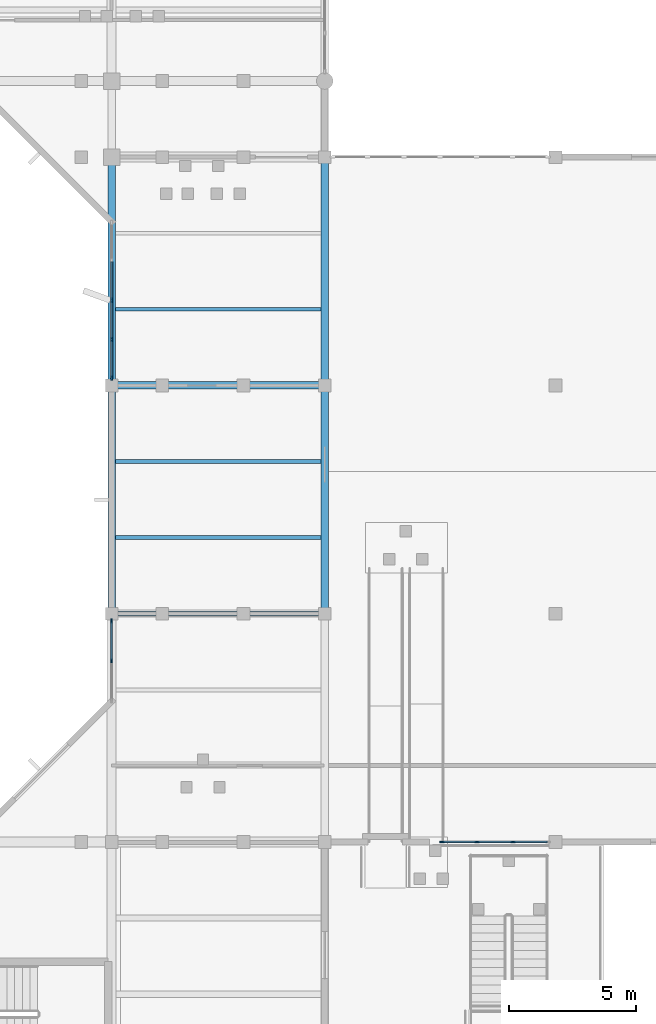
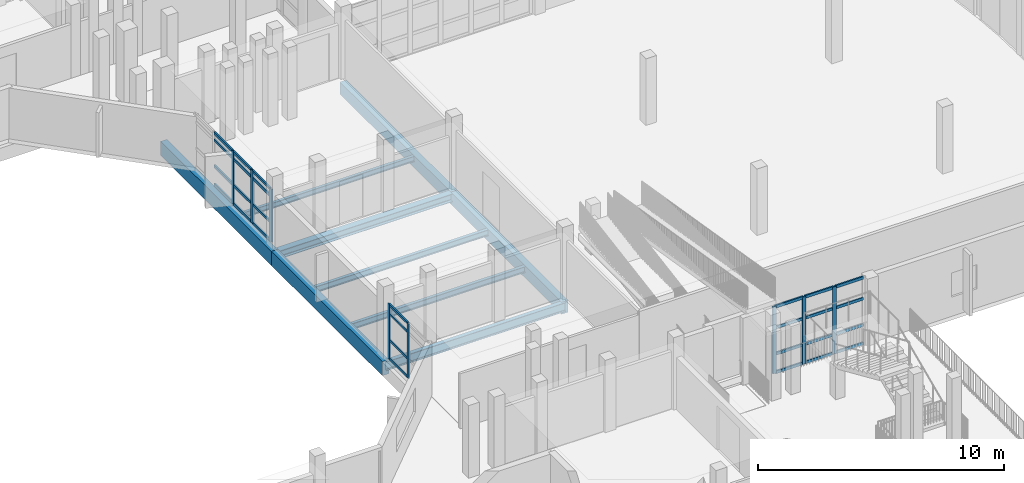
# One storey, part 26 of 104: 36 members, 9 beams, 3 elements without a shape of their own.
"""IFC4 building model written with IfcOpenShell, lengths in metres."""

from ifc_helpers import new_model, si_unit, direction, frame, origin, origin_2d, place, context, subcontext, project, spatial, rectangle, i_section, extrude, material, material_profile, profile_set, type_object, element, aggregate, save


model = new_model("IFC4")

# Units and contexts
model_context = context("Model", 3, precision=1e-05, world=origin(), true_north=direction((0.0, 1.0)))
body_context = subcontext(model_context, "Body", "Model", "MODEL_VIEW")
ifc_project = project(units=[si_unit("LENGTHUNIT", "METRE"), si_unit("AREAUNIT", "SQUARE_METRE"), si_unit("VOLUMEUNIT", "CUBIC_METRE"), si_unit("PLANEANGLEUNIT", "RADIAN"), si_unit("MASSUNIT", "GRAM", prefix="KILO")], contexts=[model_context])

# Site, building, storey
site_placement = place(None, origin())
site = spatial("IfcSite", under=ifc_project, at=site_placement, CompositionType="ELEMENT")
building_placement = place(site_placement, origin())
building = spatial("IfcBuilding", under=site, at=building_placement, Name="Vanh Quang Courtyard School", CompositionType="ELEMENT")
storey_placement = place(building_placement, frame((0.0, 0.0, 4.199951171875)))
storey = spatial("IfcBuildingStorey", under=building, at=storey_placement, Name="L01", CompositionType="ELEMENT", Elevation=4.199951171875)

# Beams
ifc_material_1 = material(Name="Concrete C35/45", Category="concrete")
ifc_material_profile_1 = material_profile(ifc_material_1, rectangle(XDim=0.300048828125, YDim=0.60009765625, at=origin_2d()), Name="RC-BM 300x600")
ifc_profile_set_1 = profile_set([ifc_material_profile_1], Name="Concrete C35/45")
beam_type_1 = type_object("IfcBeamType", Name="BM-RC-300x600", PredefinedType="BEAM", material=ifc_profile_set_1)
for number, where, z_axis, x_axis, name in (
    (1, (119.39990234375, 50.39990234375, -0.579833984375), (0.0, 1.0, 0.0), (-1.0, 0.0, 0.0), "Beam B-06 (L01)"),
    (2, (119.39990234375, 59.39990234375, -0.579833984375), (0.0, 1.0, 0.0), (-1.0, 0.0, 0.0), "Beam B-06 (L01)"),
):
    element("IfcBeam", number, at=place(storey_placement, frame(where, z_axis=z_axis, x_axis=x_axis)), inside=storey, type_object=beam_type_1, Name=name, PredefinedType="BEAM", context=body_context, shape_type="SweptSolid", body=[
        extrude(rectangle(XDim=0.300048828125, YDim=0.60009765625, at=origin_2d()), origin(), (0.0, 0.0, 1.0), 9.0),
    ])
ifc_material_profile_2 = material_profile(ifc_material_1, rectangle(XDim=0.300048828125, YDim=0.699951171875, at=origin_2d()), Name="RC-SP 300x700")
ifc_profile_set_2 = profile_set([ifc_material_profile_2], Name="Concrete C35/45")
beam_type_2 = type_object("IfcBeamType", Name="BM-SP-300x700", PredefinedType="SPANDREL", material=ifc_profile_set_2)
for number, where, z_axis, x_axis, name in (
    (3, (111.0, 50.39990234375, -0.6298828125), (0.0, 1.0, 0.0), (-1.0, 0.0, 0.0), "Beam BS-01 (L01)"),
    (4, (111.0, 59.39990234375, -0.6298828125), (0.0, 1.0, 0.0), (-1.0, 0.0, 0.0), "Beam BS-01 (L01)"),
):
    element("IfcBeam", number, at=place(storey_placement, frame(where, z_axis=z_axis, x_axis=x_axis)), inside=storey, type_object=beam_type_2, Name=name, PredefinedType="SPANDREL", context=body_context, shape_type="SweptSolid", body=[
        extrude(rectangle(XDim=0.300048828125, YDim=0.699951171875, at=origin_2d()), origin(), (0.0, 0.0, 1.0), 9.0),
    ])
ifc_material_2 = material(Name="Structural steel EN 10025-2 S355J2", Category="steel")
ifc_material_profile_3 = material_profile(ifc_material_2, i_section(OverallWidth=0.300048828125, OverallDepth=0.389892578125, WebThickness=0.010986328125, FlangeThickness=0.01904296875, FilletRadius=0.027099609375, at=origin_2d()), Name="HEA 400")
ifc_profile_set_3 = profile_set([ifc_material_profile_3], Name="Structural steel EN 10025-2 S355J2")
beam_type_3 = type_object("IfcBeamType", Name="BM-STL-HEA400", PredefinedType="BEAM", material=ifc_profile_set_3)
beam_1_placement = place(storey_placement, frame((111.0, 59.39990234375, -0.474853515625), z_axis=(1.0, 0.0, 0.0), x_axis=(0.0, 1.0, 0.0)))
element("IfcBeam", 5, at=beam_1_placement, inside=storey, type_object=beam_type_3, Name="Beam SB-08 (L01)", PredefinedType="BEAM", context=body_context, shape_type="SweptSolid", body=[
    extrude(i_section(OverallWidth=0.300048828125, OverallDepth=0.389892578125, WebThickness=0.010986328125, FlangeThickness=0.01904296875, FilletRadius=0.027099609375, at=origin_2d()), origin(), (0.0, 0.0, 1.0), 8.39990234375),
])
ifc_material_profile_4 = material_profile(ifc_material_2, i_section(OverallWidth=0.18994140625, OverallDepth=0.449951171875, WebThickness=0.009521484375, FlangeThickness=0.0146484375, FilletRadius=0.02099609375, at=origin_2d()), Name="IPE 450")
ifc_profile_set_4 = profile_set([ifc_material_profile_4], Name="Structural steel EN 10025-2 S355J2")
beam_type_4 = type_object("IfcBeamType", Name="BM-STL-IPE450", PredefinedType="BEAM", material=ifc_profile_set_4)
beam_2_placement = place(storey_placement, frame((111.0, 50.39990234375, -0.5048828125), z_axis=(1.0, 0.0, 0.0), x_axis=(0.0, 1.0, 0.0)))
element("IfcBeam", 6, at=beam_2_placement, inside=storey, type_object=beam_type_4, Name="Beam SB-04 (L01)", PredefinedType="BEAM", context=body_context, shape_type="SweptSolid", body=[
    extrude(i_section(OverallWidth=0.18994140625, OverallDepth=0.449951171875, WebThickness=0.009521484375, FlangeThickness=0.0146484375, FilletRadius=0.02099609375, at=origin_2d()), origin(), (0.0, 0.0, 1.0), 8.39990234375),
])

# Curtain wall, members
ifc_material_3 = material(Name="Thermally broken aluminium unitised curtain wall", Category="aluminium")
curtain_wall_type_1 = type_object("IfcCurtainWallType", Name="CW-SYS-43", PredefinedType="NOTDEFINED", material=ifc_material_3)
curtain_wall_1_placement = place(storey_placement, origin())
curtain_wall_1 = element("IfcCurtainWall", 7, at=curtain_wall_1_placement, inside=storey, type_object=curtain_wall_type_1, Name="Curtain Wall CW-43 (L01)", PredefinedType="NOTDEFINED")
ifc_material_4 = material(Name="Anodised aluminium 6063-T6", Category="aluminium")
ifc_material_profile_5 = material_profile(ifc_material_4, rectangle(XDim=0.06005859375, YDim=0.159912109375, at=origin_2d()), Name="ALU-MUL 60x160")
ifc_profile_set_5 = profile_set([ifc_material_profile_5], Name="Anodised aluminium 6063-T6")
member_type_1 = type_object("IfcMemberType", Name="CW-MUL-60x160", PredefinedType="MULLION", material=ifc_profile_set_5)
member_1_placement = place(storey_placement, frame((111.0, 48.54296875, 0.0), z_axis=(0.0, 0.0, 1.0), x_axis=(-1.0, 0.0, 0.0)))
member_1 = element("IfcMember", 8, at=member_1_placement, type_object=member_type_1, Name="CW-43 mullion 2", PredefinedType="MULLION", context=body_context, shape_type="SweptSolid", body=[
    extrude(rectangle(XDim=0.06005859375, YDim=0.159912109375, at=origin_2d()), origin(), (0.0, 0.0, 1.0), 2.719970703125),
])
member_2_placement = place(storey_placement, frame((111.0, 50.112060546875, 0.0), z_axis=(0.0, 0.0, 1.0), x_axis=(-1.0, 0.0, 0.0)))
member_2 = element("IfcMember", 9, at=member_2_placement, type_object=member_type_1, Name="CW-43 mullion 3", PredefinedType="MULLION", context=body_context, shape_type="SweptSolid", body=[
    extrude(rectangle(XDim=0.06005859375, YDim=0.159912109375, at=origin_2d()), origin(), (0.0, 0.0, 1.0), 2.719970703125),
])

curtain_wall_type_2 = type_object("IfcCurtainWallType", Name="CW-SYS-27", PredefinedType="NOTDEFINED", material=ifc_material_3)
curtain_wall_2_placement = place(storey_placement, origin())
curtain_wall_2 = element("IfcCurtainWall", 10, at=curtain_wall_2_placement, inside=storey, type_object=curtain_wall_type_2, Name="Curtain Wall CW-27 (L01)", PredefinedType="NOTDEFINED")
ifc_material_profile_6 = material_profile(ifc_material_4, rectangle(XDim=0.070068359375, YDim=0.179931640625, at=origin_2d()), Name="ALU-MUL 70x180")
ifc_profile_set_6 = profile_set([ifc_material_profile_6], Name="Anodised aluminium 6063-T6")
member_type_2 = type_object("IfcMemberType", Name="CW-MUL-70x180", PredefinedType="MULLION", material=ifc_profile_set_6)
member_3_placement = place(storey_placement, frame((126.822265625, 41.39990234375, 0.0), z_axis=(0.0, 0.0, 1.0), x_axis=(0.0, -1.0, 0.0)))
member_3 = element("IfcMember", 11, at=member_3_placement, type_object=member_type_2, Name="CW-27 mullion 2", PredefinedType="MULLION", context=body_context, shape_type="SweptSolid", body=[
    extrude(rectangle(XDim=0.070068359375, YDim=0.179931640625, at=origin_2d()), origin(), (0.0, 0.0, 1.0), 3.320068359375),
])
member_4_placement = place(storey_placement, frame((125.402587890625, 41.39990234375, 0.0), z_axis=(0.0, 0.0, 1.0), x_axis=(0.0, -1.0, 0.0)))
member_4 = element("IfcMember", 12, at=member_4_placement, type_object=member_type_2, Name="CW-27 mullion 3", PredefinedType="MULLION", context=body_context, shape_type="SweptSolid", body=[
    extrude(rectangle(XDim=0.070068359375, YDim=0.179931640625, at=origin_2d()), origin(), (0.0, 0.0, 1.0), 3.320068359375),
])
member_5_placement = place(storey_placement, frame((124.01806640625, 41.39990234375, 0.0), z_axis=(0.0, 0.0, 1.0), x_axis=(0.0, -1.0, 0.0)))
member_5 = element("IfcMember", 13, at=member_5_placement, type_object=member_type_2, Name="CW-27 mullion 4", PredefinedType="MULLION", context=body_context, shape_type="SweptSolid", body=[
    extrude(rectangle(XDim=0.070068359375, YDim=0.179931640625, at=origin_2d()), origin(), (0.0, 0.0, 1.0), 3.320068359375),
])

curtain_wall_type_3 = type_object("IfcCurtainWallType", Name="CW-SYS-44", PredefinedType="NOTDEFINED", material=ifc_material_3)
curtain_wall_3_placement = place(storey_placement, origin())
curtain_wall_3 = element("IfcCurtainWall", 14, at=curtain_wall_3_placement, inside=storey, type_object=curtain_wall_type_3, Name="Curtain Wall CW-44 (L01)", PredefinedType="NOTDEFINED")
member_6_placement = place(storey_placement, frame((111.0, 59.693115234375, 0.0), z_axis=(0.0, 0.0, 1.0), x_axis=(-1.0, 0.0, 0.0)))
member_6 = element("IfcMember", 15, at=member_6_placement, type_object=member_type_2, Name="CW-44 mullion 1", PredefinedType="MULLION", context=body_context, shape_type="SweptSolid", body=[
    extrude(rectangle(XDim=0.070068359375, YDim=0.179931640625, at=origin_2d()), origin(), (0.0, 0.0, 1.0), 2.6201171875),
])
member_7_placement = place(storey_placement, frame((111.0, 61.20751953125, 0.0), z_axis=(0.0, 0.0, 1.0), x_axis=(-1.0, 0.0, 0.0)))
member_7 = element("IfcMember", 16, at=member_7_placement, type_object=member_type_2, Name="CW-44 mullion 2", PredefinedType="MULLION", context=body_context, shape_type="SweptSolid", body=[
    extrude(rectangle(XDim=0.070068359375, YDim=0.179931640625, at=origin_2d()), origin(), (0.0, 0.0, 1.0), 2.6201171875),
])
member_8_placement = place(storey_placement, frame((111.0, 62.757080078125, 0.0), z_axis=(0.0, 0.0, 1.0), x_axis=(-1.0, 0.0, 0.0)))
member_8 = element("IfcMember", 17, at=member_8_placement, type_object=member_type_2, Name="CW-44 mullion 3", PredefinedType="MULLION", context=body_context, shape_type="SweptSolid", body=[
    extrude(rectangle(XDim=0.070068359375, YDim=0.179931640625, at=origin_2d()), origin(), (0.0, 0.0, 1.0), 2.6201171875),
])

# Member
ifc_material_profile_7 = material_profile(ifc_material_4, rectangle(XDim=0.06005859375, YDim=0.1201171875, at=origin_2d()), Name="ALU-TRN 60x120")
ifc_profile_set_7 = profile_set([ifc_material_profile_7], Name="Anodised aluminium 6063-T6")
member_type_3 = type_object("IfcMemberType", Name="CW-TRN-60x120", PredefinedType="USERDEFINED", material=ifc_profile_set_7)
member_9_placement = place(storey_placement, frame((111.0, 48.572998046875, 0.030029296875), z_axis=(0.0, 1.0, 0.0), x_axis=(-1.0, 0.0, 0.0)))
member_9 = element("IfcMember", 18, at=member_9_placement, type_object=member_type_3, Name="CW-43 transom 2.1", ObjectType="TRANSOM", PredefinedType="USERDEFINED", context=body_context, shape_type="SweptSolid", body=[
    extrude(rectangle(XDim=0.06005859375, YDim=0.1201171875, at=origin_2d()), origin(), (0.0, 0.0, 1.0), 1.509033203125),
])

member_10_placement = place(storey_placement, frame((111.0, 48.572998046875, 0.949951171875), z_axis=(0.0, 1.0, 0.0), x_axis=(-1.0, 0.0, 0.0)))
member_10 = element("IfcMember", 19, at=member_10_placement, type_object=member_type_3, Name="CW-43 transom 2.2", ObjectType="TRANSOM", PredefinedType="USERDEFINED", context=body_context, shape_type="SweptSolid", body=[
    extrude(rectangle(XDim=0.06005859375, YDim=0.1201171875, at=origin_2d()), origin(), (0.0, 0.0, 1.0), 1.509033203125),
])

member_11_placement = place(storey_placement, frame((111.0, 48.572998046875, 2.25), z_axis=(0.0, 1.0, 0.0), x_axis=(-1.0, 0.0, 0.0)))
member_11 = element("IfcMember", 20, at=member_11_placement, type_object=member_type_3, Name="CW-43 transom 2.3", ObjectType="TRANSOM", PredefinedType="USERDEFINED", context=body_context, shape_type="SweptSolid", body=[
    extrude(rectangle(XDim=0.06005859375, YDim=0.1201171875, at=origin_2d()), origin(), (0.0, 0.0, 1.0), 1.509033203125),
])

member_12_placement = place(storey_placement, frame((111.0, 48.572998046875, 2.68994140625), z_axis=(0.0, 1.0, 0.0), x_axis=(-1.0, 0.0, 0.0)))
member_12 = element("IfcMember", 21, at=member_12_placement, type_object=member_type_3, Name="CW-43 transom 2.4", ObjectType="TRANSOM", PredefinedType="USERDEFINED", context=body_context, shape_type="SweptSolid", body=[
    extrude(rectangle(XDim=0.06005859375, YDim=0.1201171875, at=origin_2d()), origin(), (0.0, 0.0, 1.0), 1.509033203125),
])

aggregate(curtain_wall_1, [member_1, member_2, member_9, member_10, member_11, member_12])

ifc_material_profile_8 = material_profile(ifc_material_4, rectangle(XDim=0.070068359375, YDim=0.139892578125, at=origin_2d()), Name="ALU-TRN 70x140")
ifc_profile_set_8 = profile_set([ifc_material_profile_8], Name="Anodised aluminium 6063-T6")
member_type_4 = type_object("IfcMemberType", Name="CW-TRN-70x140", PredefinedType="USERDEFINED", material=ifc_profile_set_8)
member_13_placement = place(storey_placement, frame((128.172119140625, 41.39990234375, 0.03515625), z_axis=(-1.0, 0.0, 0.0), x_axis=(0.0, -1.0, 0.0)))
member_13 = element("IfcMember", 22, at=member_13_placement, type_object=member_type_4, Name="CW-27 transom 1.1", ObjectType="TRANSOM", PredefinedType="USERDEFINED", context=body_context, shape_type="SweptSolid", body=[
    extrude(rectangle(XDim=0.070068359375, YDim=0.139892578125, at=origin_2d()), origin(), (0.0, 0.0, 1.0), 1.314697265625),
])

member_14_placement = place(storey_placement, frame((128.172119140625, 41.39990234375, 0.949951171875), z_axis=(-1.0, 0.0, 0.0), x_axis=(0.0, -1.0, 0.0)))
member_14 = element("IfcMember", 23, at=member_14_placement, type_object=member_type_4, Name="CW-27 transom 1.2", ObjectType="TRANSOM", PredefinedType="USERDEFINED", context=body_context, shape_type="SweptSolid", body=[
    extrude(rectangle(XDim=0.070068359375, YDim=0.139892578125, at=origin_2d()), origin(), (0.0, 0.0, 1.0), 1.314697265625),
])

member_15_placement = place(storey_placement, frame((128.172119140625, 41.39990234375, 2.25), z_axis=(-1.0, 0.0, 0.0), x_axis=(0.0, -1.0, 0.0)))
member_15 = element("IfcMember", 24, at=member_15_placement, type_object=member_type_4, Name="CW-27 transom 1.3", ObjectType="TRANSOM", PredefinedType="USERDEFINED", context=body_context, shape_type="SweptSolid", body=[
    extrude(rectangle(XDim=0.070068359375, YDim=0.139892578125, at=origin_2d()), origin(), (0.0, 0.0, 1.0), 1.314697265625),
])

member_16_placement = place(storey_placement, frame((128.172119140625, 41.39990234375, 3.28515625), z_axis=(-1.0, 0.0, 0.0), x_axis=(0.0, -1.0, 0.0)))
member_16 = element("IfcMember", 25, at=member_16_placement, type_object=member_type_4, Name="CW-27 transom 1.4", ObjectType="TRANSOM", PredefinedType="USERDEFINED", context=body_context, shape_type="SweptSolid", body=[
    extrude(rectangle(XDim=0.070068359375, YDim=0.139892578125, at=origin_2d()), origin(), (0.0, 0.0, 1.0), 1.314697265625),
])

member_17_placement = place(storey_placement, frame((126.787353515625, 41.39990234375, 0.03515625), z_axis=(-1.0, 0.0, 0.0), x_axis=(0.0, -1.0, 0.0)))
member_17 = element("IfcMember", 26, at=member_17_placement, type_object=member_type_4, Name="CW-27 transom 2.1", ObjectType="TRANSOM", PredefinedType="USERDEFINED", context=body_context, shape_type="SweptSolid", body=[
    extrude(rectangle(XDim=0.070068359375, YDim=0.139892578125, at=origin_2d()), origin(), (0.0, 0.0, 1.0), 1.349609375),
])

member_18_placement = place(storey_placement, frame((126.787353515625, 41.39990234375, 0.949951171875), z_axis=(-1.0, 0.0, 0.0), x_axis=(0.0, -1.0, 0.0)))
member_18 = element("IfcMember", 27, at=member_18_placement, type_object=member_type_4, Name="CW-27 transom 2.2", ObjectType="TRANSOM", PredefinedType="USERDEFINED", context=body_context, shape_type="SweptSolid", body=[
    extrude(rectangle(XDim=0.070068359375, YDim=0.139892578125, at=origin_2d()), origin(), (0.0, 0.0, 1.0), 1.349609375),
])

member_19_placement = place(storey_placement, frame((126.787353515625, 41.39990234375, 2.25), z_axis=(-1.0, 0.0, 0.0), x_axis=(0.0, -1.0, 0.0)))
member_19 = element("IfcMember", 28, at=member_19_placement, type_object=member_type_4, Name="CW-27 transom 2.3", ObjectType="TRANSOM", PredefinedType="USERDEFINED", context=body_context, shape_type="SweptSolid", body=[
    extrude(rectangle(XDim=0.070068359375, YDim=0.139892578125, at=origin_2d()), origin(), (0.0, 0.0, 1.0), 1.349609375),
])

member_20_placement = place(storey_placement, frame((126.787353515625, 41.39990234375, 3.28515625), z_axis=(-1.0, 0.0, 0.0), x_axis=(0.0, -1.0, 0.0)))
member_20 = element("IfcMember", 29, at=member_20_placement, type_object=member_type_4, Name="CW-27 transom 2.4", ObjectType="TRANSOM", PredefinedType="USERDEFINED", context=body_context, shape_type="SweptSolid", body=[
    extrude(rectangle(XDim=0.070068359375, YDim=0.139892578125, at=origin_2d()), origin(), (0.0, 0.0, 1.0), 1.349609375),
])

member_21_placement = place(storey_placement, frame((125.36767578125, 41.39990234375, 0.03515625), z_axis=(-1.0, 0.0, 0.0), x_axis=(0.0, -1.0, 0.0)))
member_21 = element("IfcMember", 30, at=member_21_placement, type_object=member_type_4, Name="CW-27 transom 3.1", ObjectType="TRANSOM", PredefinedType="USERDEFINED", context=body_context, shape_type="SweptSolid", body=[
    extrude(rectangle(XDim=0.070068359375, YDim=0.139892578125, at=origin_2d()), origin(), (0.0, 0.0, 1.0), 1.314697265625),
])

member_22_placement = place(storey_placement, frame((125.36767578125, 41.39990234375, 0.949951171875), z_axis=(-1.0, 0.0, 0.0), x_axis=(0.0, -1.0, 0.0)))
member_22 = element("IfcMember", 31, at=member_22_placement, type_object=member_type_4, Name="CW-27 transom 3.2", ObjectType="TRANSOM", PredefinedType="USERDEFINED", context=body_context, shape_type="SweptSolid", body=[
    extrude(rectangle(XDim=0.070068359375, YDim=0.139892578125, at=origin_2d()), origin(), (0.0, 0.0, 1.0), 1.314697265625),
])

member_23_placement = place(storey_placement, frame((125.36767578125, 41.39990234375, 2.25), z_axis=(-1.0, 0.0, 0.0), x_axis=(0.0, -1.0, 0.0)))
member_23 = element("IfcMember", 32, at=member_23_placement, type_object=member_type_4, Name="CW-27 transom 3.3", ObjectType="TRANSOM", PredefinedType="USERDEFINED", context=body_context, shape_type="SweptSolid", body=[
    extrude(rectangle(XDim=0.070068359375, YDim=0.139892578125, at=origin_2d()), origin(), (0.0, 0.0, 1.0), 1.314697265625),
])

member_24_placement = place(storey_placement, frame((125.36767578125, 41.39990234375, 3.28515625), z_axis=(-1.0, 0.0, 0.0), x_axis=(0.0, -1.0, 0.0)))
member_24 = element("IfcMember", 33, at=member_24_placement, type_object=member_type_4, Name="CW-27 transom 3.4", ObjectType="TRANSOM", PredefinedType="USERDEFINED", context=body_context, shape_type="SweptSolid", body=[
    extrude(rectangle(XDim=0.070068359375, YDim=0.139892578125, at=origin_2d()), origin(), (0.0, 0.0, 1.0), 1.314697265625),
])

aggregate(curtain_wall_2, [member_3, member_4, member_5, member_13, member_14, member_15, member_16, member_17, member_18, member_19, member_20, member_21, member_22, member_23, member_24])

member_25_placement = place(storey_placement, frame((111.0, 59.72802734375, 0.03515625), z_axis=(0.0, 1.0, 0.0), x_axis=(-1.0, 0.0, 0.0)))
member_25 = element("IfcMember", 34, at=member_25_placement, type_object=member_type_4, Name="CW-44 transom 1.1", ObjectType="TRANSOM", PredefinedType="USERDEFINED", context=body_context, shape_type="SweptSolid", body=[
    extrude(rectangle(XDim=0.070068359375, YDim=0.139892578125, at=origin_2d()), origin(), (0.0, 0.0, 1.0), 1.444580078125),
])

member_26_placement = place(storey_placement, frame((111.0, 59.72802734375, 0.949951171875), z_axis=(0.0, 1.0, 0.0), x_axis=(-1.0, 0.0, 0.0)))
member_26 = element("IfcMember", 35, at=member_26_placement, type_object=member_type_4, Name="CW-44 transom 1.2", ObjectType="TRANSOM", PredefinedType="USERDEFINED", context=body_context, shape_type="SweptSolid", body=[
    extrude(rectangle(XDim=0.070068359375, YDim=0.139892578125, at=origin_2d()), origin(), (0.0, 0.0, 1.0), 1.444580078125),
])

member_27_placement = place(storey_placement, frame((111.0, 59.72802734375, 2.25), z_axis=(0.0, 1.0, 0.0), x_axis=(-1.0, 0.0, 0.0)))
member_27 = element("IfcMember", 36, at=member_27_placement, type_object=member_type_4, Name="CW-44 transom 1.3", ObjectType="TRANSOM", PredefinedType="USERDEFINED", context=body_context, shape_type="SweptSolid", body=[
    extrude(rectangle(XDim=0.070068359375, YDim=0.139892578125, at=origin_2d()), origin(), (0.0, 0.0, 1.0), 1.444580078125),
])

member_28_placement = place(storey_placement, frame((111.0, 59.72802734375, 2.5849609375), z_axis=(0.0, 1.0, 0.0), x_axis=(-1.0, 0.0, 0.0)))
member_28 = element("IfcMember", 37, at=member_28_placement, type_object=member_type_4, Name="CW-44 transom 1.4", ObjectType="TRANSOM", PredefinedType="USERDEFINED", context=body_context, shape_type="SweptSolid", body=[
    extrude(rectangle(XDim=0.070068359375, YDim=0.139892578125, at=origin_2d()), origin(), (0.0, 0.0, 1.0), 1.444580078125),
])

member_29_placement = place(storey_placement, frame((111.0, 61.242431640625, 0.03515625), z_axis=(0.0, 1.0, 0.0), x_axis=(-1.0, 0.0, 0.0)))
member_29 = element("IfcMember", 38, at=member_29_placement, type_object=member_type_4, Name="CW-44 transom 2.1", ObjectType="TRANSOM", PredefinedType="USERDEFINED", context=body_context, shape_type="SweptSolid", body=[
    extrude(rectangle(XDim=0.070068359375, YDim=0.139892578125, at=origin_2d()), origin(), (0.0, 0.0, 1.0), 1.4794921875),
])

member_30_placement = place(storey_placement, frame((111.0, 61.242431640625, 0.949951171875), z_axis=(0.0, 1.0, 0.0), x_axis=(-1.0, 0.0, 0.0)))
member_30 = element("IfcMember", 39, at=member_30_placement, type_object=member_type_4, Name="CW-44 transom 2.2", ObjectType="TRANSOM", PredefinedType="USERDEFINED", context=body_context, shape_type="SweptSolid", body=[
    extrude(rectangle(XDim=0.070068359375, YDim=0.139892578125, at=origin_2d()), origin(), (0.0, 0.0, 1.0), 1.4794921875),
])

member_31_placement = place(storey_placement, frame((111.0, 61.242431640625, 2.25), z_axis=(0.0, 1.0, 0.0), x_axis=(-1.0, 0.0, 0.0)))
member_31 = element("IfcMember", 40, at=member_31_placement, type_object=member_type_4, Name="CW-44 transom 2.3", ObjectType="TRANSOM", PredefinedType="USERDEFINED", context=body_context, shape_type="SweptSolid", body=[
    extrude(rectangle(XDim=0.070068359375, YDim=0.139892578125, at=origin_2d()), origin(), (0.0, 0.0, 1.0), 1.4794921875),
])

member_32_placement = place(storey_placement, frame((111.0, 61.242431640625, 2.5849609375), z_axis=(0.0, 1.0, 0.0), x_axis=(-1.0, 0.0, 0.0)))
member_32 = element("IfcMember", 41, at=member_32_placement, type_object=member_type_4, Name="CW-44 transom 2.4", ObjectType="TRANSOM", PredefinedType="USERDEFINED", context=body_context, shape_type="SweptSolid", body=[
    extrude(rectangle(XDim=0.070068359375, YDim=0.139892578125, at=origin_2d()), origin(), (0.0, 0.0, 1.0), 1.4794921875),
])

member_33_placement = place(storey_placement, frame((111.0, 62.7919921875, 0.03515625), z_axis=(0.0, 1.0, 0.0), x_axis=(-1.0, 0.0, 0.0)))
member_33 = element("IfcMember", 42, at=member_33_placement, type_object=member_type_4, Name="CW-44 transom 3.1", ObjectType="TRANSOM", PredefinedType="USERDEFINED", context=body_context, shape_type="SweptSolid", body=[
    extrude(rectangle(XDim=0.070068359375, YDim=0.139892578125, at=origin_2d()), origin(), (0.0, 0.0, 1.0), 1.4794921875),
])

member_34_placement = place(storey_placement, frame((111.0, 62.7919921875, 0.949951171875), z_axis=(0.0, 1.0, 0.0), x_axis=(-1.0, 0.0, 0.0)))
member_34 = element("IfcMember", 43, at=member_34_placement, type_object=member_type_4, Name="CW-44 transom 3.2", ObjectType="TRANSOM", PredefinedType="USERDEFINED", context=body_context, shape_type="SweptSolid", body=[
    extrude(rectangle(XDim=0.070068359375, YDim=0.139892578125, at=origin_2d()), origin(), (0.0, 0.0, 1.0), 1.4794921875),
])

member_35_placement = place(storey_placement, frame((111.0, 62.7919921875, 2.25), z_axis=(0.0, 1.0, 0.0), x_axis=(-1.0, 0.0, 0.0)))
member_35 = element("IfcMember", 44, at=member_35_placement, type_object=member_type_4, Name="CW-44 transom 3.3", ObjectType="TRANSOM", PredefinedType="USERDEFINED", context=body_context, shape_type="SweptSolid", body=[
    extrude(rectangle(XDim=0.070068359375, YDim=0.139892578125, at=origin_2d()), origin(), (0.0, 0.0, 1.0), 1.4794921875),
])

member_36_placement = place(storey_placement, frame((111.0, 62.7919921875, 2.5849609375), z_axis=(0.0, 1.0, 0.0), x_axis=(-1.0, 0.0, 0.0)))
member_36 = element("IfcMember", 45, at=member_36_placement, type_object=member_type_4, Name="CW-44 transom 3.4", ObjectType="TRANSOM", PredefinedType="USERDEFINED", context=body_context, shape_type="SweptSolid", body=[
    extrude(rectangle(XDim=0.070068359375, YDim=0.139892578125, at=origin_2d()), origin(), (0.0, 0.0, 1.0), 1.4794921875),
])

aggregate(curtain_wall_3, [member_6, member_7, member_8, member_25, member_26, member_27, member_28, member_29, member_30, member_31, member_32, member_33, member_34, member_35, member_36])

# Beams
ifc_material_profile_9 = material_profile(ifc_material_2, i_section(OverallWidth=0.135009765625, OverallDepth=0.27001953125, WebThickness=0.006591796875, FlangeThickness=0.01025390625, FilletRadius=0.014892578125, at=origin_2d()), Name="IPE 270")
ifc_profile_set_9 = profile_set([ifc_material_profile_9], Name="Structural steel EN 10025-2 S355J2")
beam_type_5 = type_object("IfcBeamType", Name="JST-STL-IPE270", PredefinedType="JOIST", material=ifc_profile_set_9)
beam_3_placement = place(storey_placement, frame((111.14990234375, 62.39990234375, -0.4150390625), z_axis=(1.0, 0.0, 0.0), x_axis=(0.0, 1.0, 0.0)))
element("IfcBeam", 46, at=beam_3_placement, inside=storey, type_object=beam_type_5, Name="Beam SJ-03 (L01)", PredefinedType="JOIST", context=body_context, shape_type="SweptSolid", body=[
    extrude(i_section(OverallWidth=0.135009765625, OverallDepth=0.27001953125, WebThickness=0.006591796875, FlangeThickness=0.01025390625, FilletRadius=0.014892578125, at=origin_2d()), origin(), (0.0, 0.0, 1.0), 8.10009765625),
])
ifc_material_profile_10 = material_profile(ifc_material_2, i_section(OverallWidth=0.14990234375, OverallDepth=0.300048828125, WebThickness=0.007080078125, FlangeThickness=0.0107421875, FilletRadius=0.014892578125, at=origin_2d()), Name="IPE 300")
ifc_profile_set_10 = profile_set([ifc_material_profile_10], Name="Structural steel EN 10025-2 S355J2")
beam_type_6 = type_object("IfcBeamType", Name="JST-STL-IPE300", PredefinedType="JOIST", material=ifc_profile_set_10)
for number, where, z_axis, x_axis, name in (
    (47, (111.14990234375, 53.39990234375, -0.429931640625), (1.0, 0.0, 0.0), (0.0, 1.0, 0.0), "Beam SJ-02 (L01)"),
    (48, (111.14990234375, 56.39990234375, -0.429931640625), (1.0, 0.0, 0.0), (0.0, 1.0, 0.0), "Beam SJ-02 (L01)"),
):
    element("IfcBeam", number, at=place(storey_placement, frame(where, z_axis=z_axis, x_axis=x_axis)), inside=storey, type_object=beam_type_6, Name=name, PredefinedType="JOIST", context=body_context, shape_type="SweptSolid", body=[
        extrude(i_section(OverallWidth=0.14990234375, OverallDepth=0.300048828125, WebThickness=0.007080078125, FlangeThickness=0.0107421875, FilletRadius=0.014892578125, at=origin_2d()), origin(), (0.0, 0.0, 1.0), 8.10009765625),
    ])

save(model, "model.ifc")
